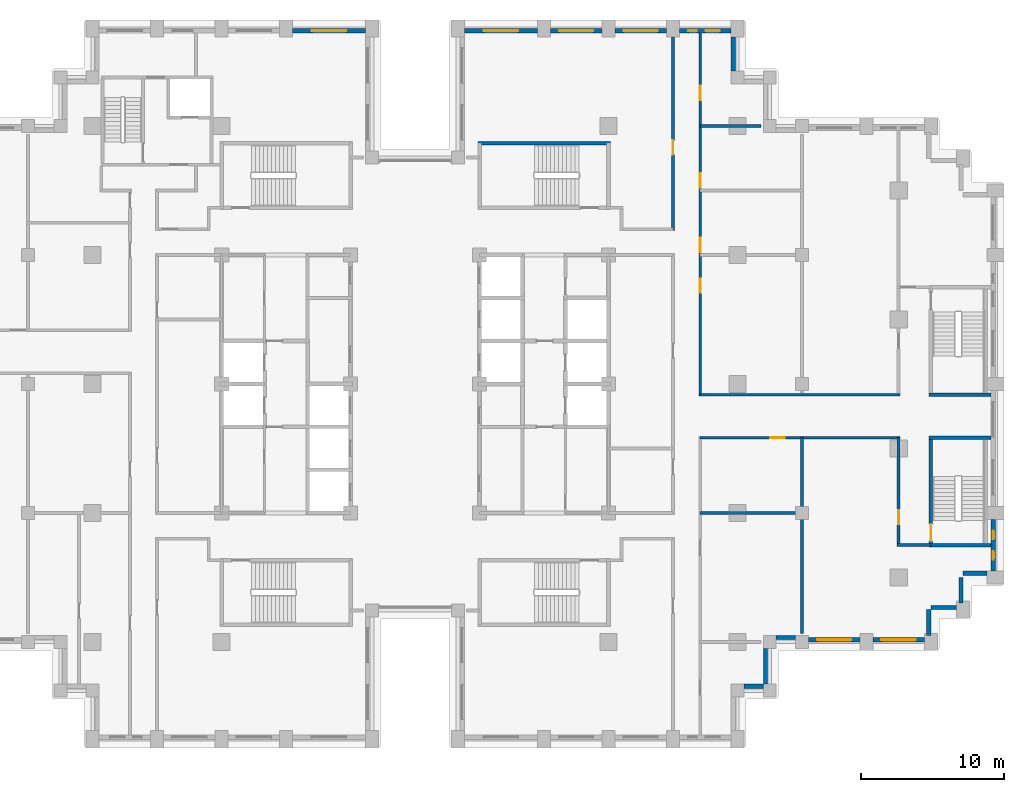
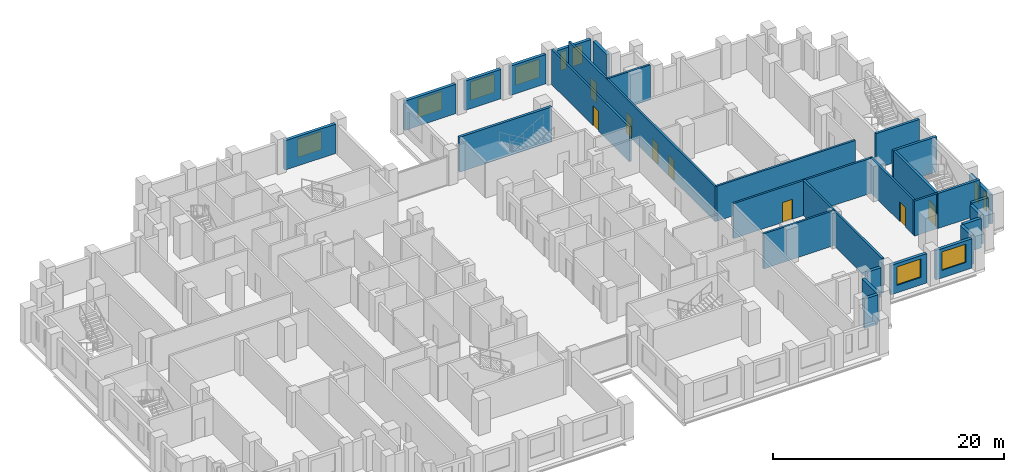
# One storey, part 11 of 15: 30 walls, 10 windows, 8 doors, 18 openings.
"""IFC4 building model written with IfcOpenShell, lengths in metres."""

from ifc_helpers import new_model, si_unit, direction, frame, frame_2d, origin, place, context, subcontext, project, spatial, rectangle, extrude, material, layer, layer_set, type_object, element, fill, save


model = new_model("IFC4")

# Units and contexts
model_context = context("Model", 3, precision=1e-05, world=origin(), true_north=direction((0.0, 1.0)))
body_context = subcontext(model_context, "Body", "Model", "MODEL_VIEW")
ifc_project = project(units=[si_unit("LENGTHUNIT", "METRE"), si_unit("AREAUNIT", "SQUARE_METRE"), si_unit("VOLUMEUNIT", "CUBIC_METRE"), si_unit("PLANEANGLEUNIT", "RADIAN"), si_unit("MASSUNIT", "GRAM", prefix="KILO")], contexts=[model_context])

# Site, building, storey
site_placement = place(None, origin())
site = spatial("IfcSite", under=ifc_project, at=site_placement, CompositionType="ELEMENT")
building_placement = place(site_placement, origin())
building = spatial("IfcBuilding", under=site, at=building_placement, Name="Corbelhall Arena Tower", CompositionType="ELEMENT")
storey_placement = place(building_placement, frame((0.0, 0.0, 100.0)))
storey = spatial("IfcBuildingStorey", under=building, at=storey_placement, Name="L17", CompositionType="ELEMENT", Elevation=100.0)

# Walls
ifc_material_1 = material(Name="Precast concrete C40/50 with granite facing", Category="masonry")
ifc_layer_1 = layer(ifc_material_1, 0.300048828125)
ifc_layer_set_1 = layer_set([ifc_layer_1], Name="EV-IW1 Infill panel 300")
wall_type_1 = type_object("IfcWallType", Name="EV-IW1 Infill panel 300", PredefinedType="SOLIDWALL", material=ifc_layer_set_1)
for number, where, z_axis, x_axis, name in (
    (1, (35.85009765625, -17.550048828125, 0.0), (0.0, 0.0, 1.0), (0.0, 1.0, 0.0), "Infill panel IW1"),
    (2, (37.800048828125, -15.60009765625, 0.0), (0.0, 0.0, 1.0), (-1.0, 0.0, 0.0), "Infill panel IW1"),
    (3, (38.10009765625, -15.300048828125, 0.0), (0.0, 0.0, 1.0), (0.0, 1.0, 0.0), "Infill panel IW1"),
):
    element("IfcWall", number, at=place(storey_placement, frame(where, z_axis=z_axis, x_axis=x_axis)), inside=storey, type_object=wall_type_1, Name=name, PredefinedType="SOLIDWALL", context=body_context, shape_type="SweptSolid", body=[
        extrude(rectangle(XDim=1.800048828125, YDim=0.300048828125, at=frame_2d((0.89990234375, 0.0))), origin(), (0.0, 0.0, 1.0), 3.10009765625),
    ])
wall_1_placement = place(storey_placement, frame((39.89990234375, -13.199951171875, 0.0), z_axis=(0.0, 0.0, 1.0), x_axis=(-1.0, 0.0, 0.0)))
element("IfcWall", 4, at=wall_1_placement, inside=storey, type_object=wall_type_1, Name="Infill panel IW1", PredefinedType="SOLIDWALL", context=body_context, shape_type="SweptSolid", body=[
    extrude(rectangle(XDim=1.64990234375, YDim=0.300048828125, at=frame_2d((0.824951171875, 0.0))), origin(), (0.0, 0.0, 1.0), 3.10009765625),
])
wall_2_placement = place(storey_placement, frame((22.949951171875, -21.10009765625, 0.0), z_axis=(0.0, 0.0, 1.0), x_axis=(1.0, 0.0, 0.0)))
element("IfcWall", 5, at=wall_2_placement, inside=storey, type_object=wall_type_1, Name="Infill panel IW1", PredefinedType="SOLIDWALL", context=body_context, shape_type="SweptSolid", body=[
    extrude(rectangle(XDim=1.35009765625, YDim=0.300048828125, at=frame_2d((0.675048828125, 0.0))), origin(), (0.0, 0.0, 1.0), 3.10009765625),
])
wall_3_placement = place(storey_placement, frame((24.449951171875, -20.949951171875, 0.0), z_axis=(0.0, 0.0, 1.0), x_axis=(0.0, 1.0, 0.0)))
element("IfcWall", 6, at=wall_3_placement, inside=storey, type_object=wall_type_1, Name="Infill panel IW1", PredefinedType="SOLIDWALL", context=body_context, shape_type="SweptSolid", body=[
    extrude(rectangle(XDim=2.5, YDim=0.300048828125, at=frame_2d((1.25, 0.0))), origin(), (0.0, 0.0, 1.0), 3.10009765625),
])
wall_4_placement = place(storey_placement, frame((25.199951171875, -17.699951171875, 0.0), z_axis=(0.0, 0.0, 1.0), x_axis=(1.0, 0.0, 0.0)))
element("IfcWall", 7, at=wall_4_placement, inside=storey, type_object=wall_type_1, Name="Infill panel IW1", PredefinedType="SOLIDWALL", context=body_context, shape_type="SweptSolid", body=[
    extrude(rectangle(XDim=1.35009765625, YDim=0.300048828125, at=frame_2d((0.675048828125, 0.0))), origin(), (0.0, 0.0, 1.0), 3.10009765625),
])

# Wall, opening, window
wall_5_placement = place(storey_placement, frame((27.449951171875, -17.85009765625, 0.0), z_axis=(0.0, 0.0, 1.0), x_axis=(1.0, 0.0, 0.0)))
wall_5 = element("IfcWall", 8, at=wall_5_placement, inside=storey, type_object=wall_type_1, Name="Infill panel IW1", PredefinedType="SOLIDWALL", context=body_context, shape_type="SweptSolid", body=[
    extrude(rectangle(XDim=3.60009765625, YDim=0.300048828125, at=frame_2d((1.800048828125, 0.0))), origin(), (0.0, 0.0, 1.0), 3.10009765625),
])
opening_1_placement = place(wall_5_placement, frame((0.60009765625, 0.0, 0.800048828125)))
opening_1 = element("IfcOpeningElement", 9, at=opening_1_placement, cuts=wall_5, Name="Opening WN1", PredefinedType="OPENING", context=body_context, shape_type="SweptSolid", body=[
    extrude(rectangle(XDim=2.39990234375, YDim=1.949951171875, at=frame_2d((1.199951171875, 0.97509765625))), frame((0.0, 0.14990234375, 0.0), z_axis=(0.0, -1.0, 0.0), x_axis=(1.0, 0.0, 0.0)), (0.0, 0.0, 1.0), 0.300048828125),
])
ifc_material_2 = material(Name="Aluminium black anodised", Category="aluminium")
window_type_1 = type_object("IfcWindowType", Name="EV-WN1 Office window", PartitioningType="SINGLE_PANEL", PredefinedType="WINDOW", material=ifc_material_2)
window_1_placement = place(opening_1_placement, origin())
window_1 = element("IfcWindow", 10, at=window_1_placement, inside=storey, type_object=window_type_1, Name="Window WN1", OverallHeight=1.949951171875, OverallWidth=2.39990234375, PartitioningType="SINGLE_PANEL", PredefinedType="WINDOW", context=body_context, shape_type="SweptSolid", body=[
    extrude(rectangle(XDim=2.39990234375, YDim=1.949951171875, at=frame_2d((1.199951171875, 0.97509765625))), frame((0.0, 0.030029296875, 0.0), z_axis=(0.0, -1.0, 0.0), x_axis=(1.0, 0.0, 0.0)), (0.0, 0.0, 1.0), 0.06005859375),
])
fill(opening_1, window_1)

wall_6_placement = place(storey_placement, frame((31.949951171875, -17.85009765625, 0.0), z_axis=(0.0, 0.0, 1.0), x_axis=(1.0, 0.0, 0.0)))
wall_6 = element("IfcWall", 11, at=wall_6_placement, inside=storey, type_object=wall_type_1, Name="Infill panel IW1", PredefinedType="SOLIDWALL", context=body_context, shape_type="SweptSolid", body=[
    extrude(rectangle(XDim=3.60009765625, YDim=0.300048828125, at=frame_2d((1.800048828125, 0.0))), origin(), (0.0, 0.0, 1.0), 3.10009765625),
])
opening_2_placement = place(wall_6_placement, frame((0.60009765625, 0.0, 0.800048828125)))
opening_2 = element("IfcOpeningElement", 12, at=opening_2_placement, cuts=wall_6, Name="Opening WN1", PredefinedType="OPENING", context=body_context, shape_type="SweptSolid", body=[
    extrude(rectangle(XDim=2.39990234375, YDim=1.949951171875, at=frame_2d((1.199951171875, 0.97509765625))), frame((0.0, 0.14990234375, 0.0), z_axis=(0.0, -1.0, 0.0), x_axis=(1.0, 0.0, 0.0)), (0.0, 0.0, 1.0), 0.300048828125),
])
window_2_placement = place(opening_2_placement, origin())
window_2 = element("IfcWindow", 13, at=window_2_placement, inside=storey, type_object=window_type_1, Name="Window WN1", OverallHeight=1.949951171875, OverallWidth=2.39990234375, PartitioningType="SINGLE_PANEL", PredefinedType="WINDOW", context=body_context, shape_type="SweptSolid", body=[
    extrude(rectangle(XDim=2.39990234375, YDim=1.949951171875, at=frame_2d((1.199951171875, 0.97509765625))), frame((0.0, 0.030029296875, 0.0), z_axis=(0.0, -1.0, 0.0), x_axis=(1.0, 0.0, 0.0)), (0.0, 0.0, 1.0), 0.06005859375),
])
fill(opening_2, window_2)

# Wall, openings, windows
wall_7_placement = place(storey_placement, frame((40.35009765625, -13.050048828125, 0.0), z_axis=(0.0, 0.0, 1.0), x_axis=(0.0, 1.0, 0.0)))
wall_7 = element("IfcWall", 14, at=wall_7_placement, inside=storey, type_object=wall_type_1, Name="Infill panel IW1", PredefinedType="SOLIDWALL", context=body_context, shape_type="SweptSolid", body=[
    extrude(rectangle(XDim=3.60009765625, YDim=0.300048828125, at=frame_2d((1.800048828125, 0.0))), origin(), (0.0, 0.0, 1.0), 3.10009765625),
])
opening_3_placement = place(wall_7_placement, frame((0.78759765625, 0.0, 0.800048828125)))
opening_3 = element("IfcOpeningElement", 15, at=opening_3_placement, cuts=wall_7, Name="Opening WN5", PredefinedType="OPENING", context=body_context, shape_type="SweptSolid", body=[
    extrude(rectangle(XDim=0.60009765625, YDim=1.949951171875, at=frame_2d((0.300048828125, 0.97509765625))), frame((0.0, 0.14990234375, 0.0), z_axis=(0.0, -1.0, 0.0), x_axis=(1.0, 0.0, 0.0)), (0.0, 0.0, 1.0), 0.300048828125),
])
opening_4_placement = place(wall_7_placement, frame((2.21240234375, 0.0, 0.800048828125)))
opening_4 = element("IfcOpeningElement", 16, at=opening_4_placement, cuts=wall_7, Name="Opening WN5", PredefinedType="OPENING", context=body_context, shape_type="SweptSolid", body=[
    extrude(rectangle(XDim=0.60009765625, YDim=1.949951171875, at=frame_2d((0.300048828125, 0.97509765625))), frame((0.0, 0.14990234375, 0.0), z_axis=(0.0, -1.0, 0.0), x_axis=(1.0, 0.0, 0.0)), (0.0, 0.0, 1.0), 0.300048828125),
])
window_type_2 = type_object("IfcWindowType", Name="EV-WN5 Office window 600", PartitioningType="SINGLE_PANEL", PredefinedType="WINDOW", material=ifc_material_2)
window_3_placement = place(opening_3_placement, origin())
window_3 = element("IfcWindow", 17, at=window_3_placement, inside=storey, type_object=window_type_2, Name="Window WN5", OverallHeight=1.949951171875, OverallWidth=0.60009765625, PartitioningType="SINGLE_PANEL", PredefinedType="WINDOW", context=body_context, shape_type="SweptSolid", body=[
    extrude(rectangle(XDim=0.60009765625, YDim=1.949951171875, at=frame_2d((0.300048828125, 0.97509765625))), frame((0.0, 0.030029296875, 0.0), z_axis=(0.0, -1.0, 0.0), x_axis=(1.0, 0.0, 0.0)), (0.0, 0.0, 1.0), 0.06005859375),
])
fill(opening_3, window_3)
window_4_placement = place(opening_4_placement, origin())
window_4 = element("IfcWindow", 18, at=window_4_placement, inside=storey, type_object=window_type_2, Name="Window WN5", OverallHeight=1.949951171875, OverallWidth=0.60009765625, PartitioningType="SINGLE_PANEL", PredefinedType="WINDOW", context=body_context, shape_type="SweptSolid", body=[
    extrude(rectangle(XDim=0.60009765625, YDim=1.949951171875, at=frame_2d((0.300048828125, 0.97509765625))), frame((0.0, 0.030029296875, 0.0), z_axis=(0.0, -1.0, 0.0), x_axis=(1.0, 0.0, 0.0)), (0.0, 0.0, 1.0), 0.06005859375),
])
fill(opening_4, window_4)

# Wall
wall_8_placement = place(storey_placement, frame((22.199951171875, 21.85009765625, 0.0), z_axis=(0.0, 0.0, 1.0), x_axis=(0.0, 1.0, 0.0)))
element("IfcWall", 19, at=wall_8_placement, inside=storey, type_object=wall_type_1, Name="Infill panel IW1", PredefinedType="SOLIDWALL", context=body_context, shape_type="SweptSolid", body=[
    extrude(rectangle(XDim=2.349853515625, YDim=0.300048828125, at=frame_2d((1.1748046875, 0.0))), origin(), (0.0, 0.0, 1.0), 3.10009765625),
])

# Wall, openings, windows
wall_9_placement = place(storey_placement, frame((22.050048828125, 24.64990234375, 0.0), z_axis=(0.0, 0.0, 1.0), x_axis=(-1.0, 0.0, 0.0)))
wall_9 = element("IfcWall", 20, at=wall_9_placement, inside=storey, type_object=wall_type_1, Name="Infill panel IW1", PredefinedType="SOLIDWALL", context=body_context, shape_type="SweptSolid", body=[
    extrude(rectangle(XDim=3.60009765625, YDim=0.300048828125, at=frame_2d((1.800048828125, 0.0))), origin(), (0.0, 0.0, 1.0), 3.10009765625),
])
opening_5_placement = place(wall_9_placement, frame((0.77490234375, 0.0, 0.800048828125)))
opening_5 = element("IfcOpeningElement", 21, at=opening_5_placement, cuts=wall_9, Name="Opening WN6", PredefinedType="OPENING", context=body_context, shape_type="SweptSolid", body=[
    extrude(rectangle(XDim=1.0, YDim=1.949951171875, at=frame_2d((0.5, 0.97509765625))), frame((0.0, 0.14990234375, 0.0), z_axis=(0.0, -1.0, 0.0), x_axis=(1.0, 0.0, 0.0)), (0.0, 0.0, 1.0), 0.300048828125),
])
opening_6_placement = place(wall_9_placement, frame((2.375, 0.0, 0.800048828125)))
opening_6 = element("IfcOpeningElement", 22, at=opening_6_placement, cuts=wall_9, Name="Opening WN5", PredefinedType="OPENING", context=body_context, shape_type="SweptSolid", body=[
    extrude(rectangle(XDim=0.60009765625, YDim=1.949951171875, at=frame_2d((0.300048828125, 0.97509765625))), frame((0.0, 0.14990234375, 0.0), z_axis=(0.0, -1.0, 0.0), x_axis=(1.0, 0.0, 0.0)), (0.0, 0.0, 1.0), 0.300048828125),
])
window_5_placement = place(opening_6_placement, origin())
window_5 = element("IfcWindow", 23, at=window_5_placement, inside=storey, type_object=window_type_2, Name="Window WN5", OverallHeight=1.949951171875, OverallWidth=0.60009765625, PartitioningType="SINGLE_PANEL", PredefinedType="WINDOW", context=body_context, shape_type="SweptSolid", body=[
    extrude(rectangle(XDim=0.60009765625, YDim=1.949951171875, at=frame_2d((0.300048828125, 0.97509765625))), frame((0.0, 0.030029296875, 0.0), z_axis=(0.0, -1.0, 0.0), x_axis=(1.0, 0.0, 0.0)), (0.0, 0.0, 1.0), 0.06005859375),
])
fill(opening_6, window_5)
window_type_3 = type_object("IfcWindowType", Name="EV-WN6 Office window 1000", PartitioningType="SINGLE_PANEL", PredefinedType="WINDOW", material=ifc_material_2)
window_6_placement = place(opening_5_placement, origin())
window_6 = element("IfcWindow", 24, at=window_6_placement, inside=storey, type_object=window_type_3, Name="Window WN6", OverallHeight=1.949951171875, OverallWidth=1.0, PartitioningType="SINGLE_PANEL", PredefinedType="WINDOW", context=body_context, shape_type="SweptSolid", body=[
    extrude(rectangle(XDim=1.0, YDim=1.949951171875, at=frame_2d((0.5, 0.97509765625))), frame((0.0, 0.030029296875, 0.0), z_axis=(0.0, -1.0, 0.0), x_axis=(1.0, 0.0, 0.0)), (0.0, 0.0, 1.0), 0.06005859375),
])
fill(opening_5, window_6)

# Wall, opening, window
wall_10_placement = place(storey_placement, frame((17.550048828125, 24.64990234375, 0.0), z_axis=(0.0, 0.0, 1.0), x_axis=(-1.0, 0.0, 0.0)))
wall_10 = element("IfcWall", 25, at=wall_10_placement, inside=storey, type_object=wall_type_1, Name="Infill panel IW1", PredefinedType="SOLIDWALL", context=body_context, shape_type="SweptSolid", body=[
    extrude(rectangle(XDim=3.60009765625, YDim=0.300048828125, at=frame_2d((1.800048828125, 0.0))), origin(), (0.0, 0.0, 1.0), 3.10009765625),
])
opening_7_placement = place(wall_10_placement, frame((0.60009765625, 0.0, 0.800048828125)))
opening_7 = element("IfcOpeningElement", 26, at=opening_7_placement, cuts=wall_10, Name="Opening WN1", PredefinedType="OPENING", context=body_context, shape_type="SweptSolid", body=[
    extrude(rectangle(XDim=2.39990234375, YDim=1.949951171875, at=frame_2d((1.199951171875, 0.97509765625))), frame((0.0, 0.14990234375, 0.0), z_axis=(0.0, -1.0, 0.0), x_axis=(1.0, 0.0, 0.0)), (0.0, 0.0, 1.0), 0.300048828125),
])
window_7_placement = place(opening_7_placement, origin())
window_7 = element("IfcWindow", 27, at=window_7_placement, inside=storey, type_object=window_type_1, Name="Window WN1", OverallHeight=1.949951171875, OverallWidth=2.39990234375, PartitioningType="SINGLE_PANEL", PredefinedType="WINDOW", context=body_context, shape_type="SweptSolid", body=[
    extrude(rectangle(XDim=2.39990234375, YDim=1.949951171875, at=frame_2d((1.199951171875, 0.97509765625))), frame((0.0, 0.030029296875, 0.0), z_axis=(0.0, -1.0, 0.0), x_axis=(1.0, 0.0, 0.0)), (0.0, 0.0, 1.0), 0.06005859375),
])
fill(opening_7, window_7)

wall_11_placement = place(storey_placement, frame((13.050048828125, 24.64990234375, 0.0), z_axis=(0.0, 0.0, 1.0), x_axis=(-1.0, 0.0, 0.0)))
wall_11 = element("IfcWall", 28, at=wall_11_placement, inside=storey, type_object=wall_type_1, Name="Infill panel IW1", PredefinedType="SOLIDWALL", context=body_context, shape_type="SweptSolid", body=[
    extrude(rectangle(XDim=3.60009765625, YDim=0.300048828125, at=frame_2d((1.800048828125, 0.0))), origin(), (0.0, 0.0, 1.0), 3.10009765625),
])
opening_8_placement = place(wall_11_placement, frame((0.60009765625, 0.0, 0.800048828125)))
opening_8 = element("IfcOpeningElement", 29, at=opening_8_placement, cuts=wall_11, Name="Opening WN1", PredefinedType="OPENING", context=body_context, shape_type="SweptSolid", body=[
    extrude(rectangle(XDim=2.39990234375, YDim=1.949951171875, at=frame_2d((1.199951171875, 0.97509765625))), frame((0.0, 0.14990234375, 0.0), z_axis=(0.0, -1.0, 0.0), x_axis=(1.0, 0.0, 0.0)), (0.0, 0.0, 1.0), 0.300048828125),
])
window_8_placement = place(opening_8_placement, origin())
window_8 = element("IfcWindow", 30, at=window_8_placement, inside=storey, type_object=window_type_1, Name="Window WN1", OverallHeight=1.949951171875, OverallWidth=2.39990234375, PartitioningType="SINGLE_PANEL", PredefinedType="WINDOW", context=body_context, shape_type="SweptSolid", body=[
    extrude(rectangle(XDim=2.39990234375, YDim=1.949951171875, at=frame_2d((1.199951171875, 0.97509765625))), frame((0.0, 0.030029296875, 0.0), z_axis=(0.0, -1.0, 0.0), x_axis=(1.0, 0.0, 0.0)), (0.0, 0.0, 1.0), 0.06005859375),
])
fill(opening_8, window_8)

wall_12_placement = place(storey_placement, frame((8.550048828125, 24.64990234375, 0.0), z_axis=(0.0, 0.0, 1.0), x_axis=(-1.0, 0.0, 0.0)))
wall_12 = element("IfcWall", 31, at=wall_12_placement, inside=storey, type_object=wall_type_1, Name="Infill panel IW1", PredefinedType="SOLIDWALL", context=body_context, shape_type="SweptSolid", body=[
    extrude(rectangle(XDim=5.10009765625, YDim=0.300048828125, at=frame_2d((2.550048828125, 0.0))), origin(), (0.0, 0.0, 1.0), 3.10009765625),
])
opening_9_placement = place(wall_12_placement, frame((1.35009765625, 0.0, 0.800048828125)))
opening_9 = element("IfcOpeningElement", 32, at=opening_9_placement, cuts=wall_12, Name="Opening WN1", PredefinedType="OPENING", context=body_context, shape_type="SweptSolid", body=[
    extrude(rectangle(XDim=2.39990234375, YDim=1.949951171875, at=frame_2d((1.199951171875, 0.97509765625))), frame((0.0, 0.14990234375, 0.0), z_axis=(0.0, -1.0, 0.0), x_axis=(1.0, 0.0, 0.0)), (0.0, 0.0, 1.0), 0.300048828125),
])
window_9_placement = place(opening_9_placement, origin())
window_9 = element("IfcWindow", 33, at=window_9_placement, inside=storey, type_object=window_type_1, Name="Window WN1", OverallHeight=1.949951171875, OverallWidth=2.39990234375, PartitioningType="SINGLE_PANEL", PredefinedType="WINDOW", context=body_context, shape_type="SweptSolid", body=[
    extrude(rectangle(XDim=2.39990234375, YDim=1.949951171875, at=frame_2d((1.199951171875, 0.97509765625))), frame((0.0, 0.030029296875, 0.0), z_axis=(0.0, -1.0, 0.0), x_axis=(1.0, 0.0, 0.0)), (0.0, 0.0, 1.0), 0.06005859375),
])
fill(opening_9, window_9)

wall_13_placement = place(storey_placement, frame((-3.449951171875, 24.64990234375, 0.0), z_axis=(0.0, 0.0, 1.0), x_axis=(-1.0, 0.0, 0.0)))
wall_13 = element("IfcWall", 34, at=wall_13_placement, inside=storey, type_object=wall_type_1, Name="Infill panel IW1", PredefinedType="SOLIDWALL", context=body_context, shape_type="SweptSolid", body=[
    extrude(rectangle(XDim=5.10009765625, YDim=0.300048828125, at=frame_2d((2.550048828125, 0.0))), origin(), (0.0, 0.0, 1.0), 3.10009765625),
])
opening_10_placement = place(wall_13_placement, frame((1.35009765625, 0.0, 0.800048828125)))
opening_10 = element("IfcOpeningElement", 35, at=opening_10_placement, cuts=wall_13, Name="Opening WN1", PredefinedType="OPENING", context=body_context, shape_type="SweptSolid", body=[
    extrude(rectangle(XDim=2.39990234375, YDim=1.949951171875, at=frame_2d((1.199951171875, 0.97509765625))), frame((0.0, 0.14990234375, 0.0), z_axis=(0.0, -1.0, 0.0), x_axis=(1.0, 0.0, 0.0)), (0.0, 0.0, 1.0), 0.300048828125),
])
window_10_placement = place(opening_10_placement, origin())
window_10 = element("IfcWindow", 36, at=window_10_placement, inside=storey, type_object=window_type_1, Name="Window WN1", OverallHeight=1.949951171875, OverallWidth=2.39990234375, PartitioningType="SINGLE_PANEL", PredefinedType="WINDOW", context=body_context, shape_type="SweptSolid", body=[
    extrude(rectangle(XDim=2.39990234375, YDim=1.949951171875, at=frame_2d((1.199951171875, 0.97509765625))), frame((0.0, 0.030029296875, 0.0), z_axis=(0.0, -1.0, 0.0), x_axis=(1.0, 0.0, 0.0)), (0.0, 0.0, 1.0), 0.06005859375),
])
fill(opening_10, window_10)

# Wall, opening, door
ifc_material_3 = material(Name="Gypsum board on steel stud, acoustic", Category="steel")
ifc_layer_2 = layer(ifc_material_3, 0.199951171875)
ifc_layer_set_2 = layer_set([ifc_layer_2], Name="IN-W-DM200")
wall_type_2 = type_object("IfcWallType", Name="IN-W-DM200", PredefinedType="PARTITIONING", material=ifc_layer_set_2)
wall_14_placement = place(storey_placement, frame((18.0, 10.699951171875, 0.0), z_axis=(0.0, 0.0, 1.0), x_axis=(0.0, 1.0, 0.0)))
wall_14 = element("IfcWall", 37, at=wall_14_placement, inside=storey, type_object=wall_type_2, Name="Partition 047", PredefinedType="PARTITIONING", context=body_context, shape_type="SweptSolid", body=[
    extrude(rectangle(XDim=13.5, YDim=0.199951171875, at=frame_2d((6.75, 0.0))), origin(), (0.0, 0.0, 1.0), 3.699951171875),
])
opening_11_placement = place(wall_14_placement, frame((5.300048828125, 0.0, 0.0)))
opening_11 = element("IfcOpeningElement", 38, at=opening_11_placement, cuts=wall_14, Name="Opening 03026", PredefinedType="OPENING", context=body_context, shape_type="SweptSolid", body=[
    extrude(rectangle(XDim=1.0, YDim=2.10009765625, at=frame_2d((0.5, 1.050048828125))), frame((0.0, 0.10009765625, 0.0), z_axis=(0.0, -1.0, 0.0), x_axis=(1.0, 0.0, 0.0)), (0.0, 0.0, 1.0), 0.199951171875),
])
ifc_material_4 = material(Name="Steel door set", Category="steel")
door_type_1 = type_object("IfcDoorType", Name="IN-D-SW100", OperationType="NOTDEFINED", PredefinedType="DOOR", material=ifc_material_4)
door_1_placement = place(opening_11_placement, origin())
door_1 = element("IfcDoor", 39, at=door_1_placement, inside=storey, type_object=door_type_1, Name="Door 026", OperationType="SINGLE_SWING_LEFT", OverallHeight=2.10009765625, OverallWidth=1.0, PredefinedType="DOOR", context=body_context, shape_type="SweptSolid", body=[
    extrude(rectangle(XDim=1.0, YDim=2.10009765625, at=frame_2d((0.5, 1.050048828125))), frame((0.0, 0.02490234375, 0.0), z_axis=(0.0, -1.0, 0.0), x_axis=(1.0, 0.0, 0.0)), (0.0, 0.0, 1.0), 0.050048828125),
])
fill(opening_11, door_1)

# Walls
wall_15_placement = place(storey_placement, frame((19.89990234375, -9.0, 0.0), z_axis=(0.0, 0.0, 1.0), x_axis=(1.0, 0.0, 0.0)))
element("IfcWall", 40, at=wall_15_placement, inside=storey, type_object=wall_type_2, Name="Partition 050", PredefinedType="PARTITIONING", context=body_context, shape_type="SweptSolid", body=[
    extrude(rectangle(XDim=7.2001953125, YDim=0.199951171875, at=frame_2d((3.60009765625, 0.0))), origin(), (0.0, 0.0, 1.0), 3.699951171875),
])
wall_16_placement = place(storey_placement, frame((19.89990234375, -0.75, 0.0), z_axis=(0.0, 0.0, 1.0), x_axis=(1.0, 0.0, 0.0)))
element("IfcWall", 41, at=wall_16_placement, inside=storey, type_object=wall_type_2, Name="Partition 051", PredefinedType="PARTITIONING", context=body_context, shape_type="SweptSolid", body=[
    extrude(rectangle(XDim=13.9501953125, YDim=0.199951171875, at=frame_2d((6.97509765625, 0.0))), origin(), (0.0, 0.0, 1.0), 3.699951171875),
])

# Wall, openings, doors
wall_17_placement = place(storey_placement, frame((19.89990234375, 24.5, 0.0), z_axis=(0.0, 0.0, 1.0), x_axis=(0.0, -1.0, 0.0)))
wall_17 = element("IfcWall", 42, at=wall_17_placement, inside=storey, type_object=wall_type_2, Name="Partition 053", PredefinedType="PARTITIONING", context=body_context, shape_type="SweptSolid", body=[
    extrude(rectangle(XDim=25.35009765625, YDim=0.199951171875, at=frame_2d((12.675048828125, 0.0))), origin(), (0.0, 0.0, 1.0), 3.699951171875),
])
opening_12_placement = place(wall_17_placement, frame((17.14990234375, 0.0, 0.0)))
opening_12 = element("IfcOpeningElement", 43, at=opening_12_placement, cuts=wall_17, Name="Opening 03034", PredefinedType="OPENING", context=body_context, shape_type="SweptSolid", body=[
    extrude(rectangle(XDim=1.0, YDim=2.10009765625, at=frame_2d((0.5, 1.050048828125))), frame((0.0, 0.10009765625, 0.0), z_axis=(0.0, -1.0, 0.0), x_axis=(1.0, 0.0, 0.0)), (0.0, 0.0, 1.0), 0.199951171875),
])
opening_13_placement = place(wall_17_placement, frame((14.300048828125, 0.0, 0.0)))
opening_13 = element("IfcOpeningElement", 44, at=opening_13_placement, cuts=wall_17, Name="Opening 03035", PredefinedType="OPENING", context=body_context, shape_type="SweptSolid", body=[
    extrude(rectangle(XDim=1.0, YDim=2.10009765625, at=frame_2d((0.5, 1.050048828125))), frame((0.0, 0.10009765625, 0.0), z_axis=(0.0, -1.0, 0.0), x_axis=(1.0, 0.0, 0.0)), (0.0, 0.0, 1.0), 0.199951171875),
])
opening_14_placement = place(wall_17_placement, frame((9.800048828125, 0.0, 0.0)))
opening_14 = element("IfcOpeningElement", 45, at=opening_14_placement, cuts=wall_17, Name="Opening 03036", PredefinedType="OPENING", context=body_context, shape_type="SweptSolid", body=[
    extrude(rectangle(XDim=1.0, YDim=2.10009765625, at=frame_2d((0.5, 1.050048828125))), frame((0.0, 0.10009765625, 0.0), z_axis=(0.0, -1.0, 0.0), x_axis=(1.0, 0.0, 0.0)), (0.0, 0.0, 1.0), 0.199951171875),
])
opening_15_placement = place(wall_17_placement, frame((3.699951171875, 0.0, 0.0)))
opening_15 = element("IfcOpeningElement", 46, at=opening_15_placement, cuts=wall_17, Name="Opening 03037", PredefinedType="OPENING", context=body_context, shape_type="SweptSolid", body=[
    extrude(rectangle(XDim=1.0, YDim=2.10009765625, at=frame_2d((0.5, 1.050048828125))), frame((0.0, 0.10009765625, 0.0), z_axis=(0.0, -1.0, 0.0), x_axis=(1.0, 0.0, 0.0)), (0.0, 0.0, 1.0), 0.199951171875),
])
door_2_placement = place(opening_12_placement, origin())
door_2 = element("IfcDoor", 47, at=door_2_placement, inside=storey, type_object=door_type_1, Name="Door 034", OperationType="SINGLE_SWING_LEFT", OverallHeight=2.10009765625, OverallWidth=1.0, PredefinedType="DOOR", context=body_context, shape_type="SweptSolid", body=[
    extrude(rectangle(XDim=1.0, YDim=2.10009765625, at=frame_2d((0.5, 1.050048828125))), frame((0.0, 0.02490234375, 0.0), z_axis=(0.0, -1.0, 0.0), x_axis=(1.0, 0.0, 0.0)), (0.0, 0.0, 1.0), 0.050048828125),
])
fill(opening_12, door_2)
door_3_placement = place(opening_13_placement, origin())
door_3 = element("IfcDoor", 48, at=door_3_placement, inside=storey, type_object=door_type_1, Name="Door 035", OperationType="SINGLE_SWING_RIGHT", OverallHeight=2.10009765625, OverallWidth=1.0, PredefinedType="DOOR", context=body_context, shape_type="SweptSolid", body=[
    extrude(rectangle(XDim=1.0, YDim=2.10009765625, at=frame_2d((0.5, 1.050048828125))), frame((0.0, 0.02490234375, 0.0), z_axis=(0.0, -1.0, 0.0), x_axis=(1.0, 0.0, 0.0)), (0.0, 0.0, 1.0), 0.050048828125),
])
fill(opening_13, door_3)
door_4_placement = place(opening_14_placement, origin())
door_4 = element("IfcDoor", 49, at=door_4_placement, inside=storey, type_object=door_type_1, Name="Door 036", OperationType="SINGLE_SWING_LEFT", OverallHeight=2.10009765625, OverallWidth=1.0, PredefinedType="DOOR", context=body_context, shape_type="SweptSolid", body=[
    extrude(rectangle(XDim=1.0, YDim=2.10009765625, at=frame_2d((0.5, 1.050048828125))), frame((0.0, 0.02490234375, 0.0), z_axis=(0.0, -1.0, 0.0), x_axis=(1.0, 0.0, 0.0)), (0.0, 0.0, 1.0), 0.050048828125),
])
fill(opening_14, door_4)
door_5_placement = place(opening_15_placement, origin())
door_5 = element("IfcDoor", 50, at=door_5_placement, inside=storey, type_object=door_type_1, Name="Door 037", OperationType="SINGLE_SWING_RIGHT", OverallHeight=2.10009765625, OverallWidth=1.0, PredefinedType="DOOR", context=body_context, shape_type="SweptSolid", body=[
    extrude(rectangle(XDim=1.0, YDim=2.10009765625, at=frame_2d((0.5, 1.050048828125))), frame((0.0, 0.02490234375, 0.0), z_axis=(0.0, -1.0, 0.0), x_axis=(1.0, 0.0, 0.0)), (0.0, 0.0, 1.0), 0.050048828125),
])
fill(opening_15, door_5)

# Walls
wall_18_placement = place(storey_placement, frame((19.89990234375, 18.0, 0.0), z_axis=(0.0, 0.0, 1.0), x_axis=(1.0, 0.0, 0.0)))
element("IfcWall", 51, at=wall_18_placement, inside=storey, type_object=wall_type_2, Name="Partition 055", PredefinedType="PARTITIONING", context=body_context, shape_type="SweptSolid", body=[
    extrude(rectangle(XDim=4.25, YDim=0.199951171875, at=frame_2d((2.125, 0.0))), origin(), (0.0, 0.0, 1.0), 3.699951171875),
])
wall_19_placement = place(storey_placement, frame((27.0, -3.75, 0.0), z_axis=(0.0, 0.0, 1.0), x_axis=(0.0, -1.0, 0.0)))
element("IfcWall", 52, at=wall_19_placement, inside=storey, type_object=wall_type_2, Name="Partition 056", PredefinedType="PARTITIONING", context=body_context, shape_type="SweptSolid", body=[
    extrude(rectangle(XDim=13.64990234375, YDim=0.199951171875, at=frame_2d((6.824951171875, 0.0))), origin(), (0.0, 0.0, 1.0), 3.699951171875),
])

# Wall, opening, door
wall_20_placement = place(storey_placement, frame((33.85009765625, -3.75, 0.0), z_axis=(0.0, 0.0, 1.0), x_axis=(-1.0, 0.0, 0.0)))
wall_20 = element("IfcWall", 53, at=wall_20_placement, inside=storey, type_object=wall_type_2, Name="Partition 058", PredefinedType="PARTITIONING", context=body_context, shape_type="SweptSolid", body=[
    extrude(rectangle(XDim=13.9501953125, YDim=0.199951171875, at=frame_2d((6.97509765625, 0.0))), origin(), (0.0, 0.0, 1.0), 3.699951171875),
])
opening_16_placement = place(wall_20_placement, frame((8.050048828125, 0.0, 0.0)))
opening_16 = element("IfcOpeningElement", 54, at=opening_16_placement, cuts=wall_20, Name="Opening 03040", PredefinedType="OPENING", context=body_context, shape_type="SweptSolid", body=[
    extrude(rectangle(XDim=1.0, YDim=2.10009765625, at=frame_2d((0.5, 1.050048828125))), frame((0.0, 0.10009765625, 0.0), z_axis=(0.0, -1.0, 0.0), x_axis=(1.0, 0.0, 0.0)), (0.0, 0.0, 1.0), 0.199951171875),
])
door_6_placement = place(opening_16_placement, origin())
door_6 = element("IfcDoor", 55, at=door_6_placement, inside=storey, type_object=door_type_1, Name="Door 040", OperationType="SINGLE_SWING_LEFT", OverallHeight=2.10009765625, OverallWidth=1.0, PredefinedType="DOOR", context=body_context, shape_type="SweptSolid", body=[
    extrude(rectangle(XDim=1.0, YDim=2.10009765625, at=frame_2d((0.5, 1.050048828125))), frame((0.0, 0.02490234375, 0.0), z_axis=(0.0, -1.0, 0.0), x_axis=(1.0, 0.0, 0.0)), (0.0, 0.0, 1.0), 0.050048828125),
])
fill(opening_16, door_6)

wall_21_placement = place(storey_placement, frame((33.75, -11.25, 0.0), z_axis=(0.0, 0.0, 1.0), x_axis=(0.0, 1.0, 0.0)))
wall_21 = element("IfcWall", 56, at=wall_21_placement, inside=storey, type_object=wall_type_2, Name="Partition 060", PredefinedType="PARTITIONING", context=body_context, shape_type="SweptSolid", body=[
    extrude(rectangle(XDim=7.5, YDim=0.199951171875, at=frame_2d((3.75, 0.0))), origin(), (0.0, 0.0, 1.0), 3.699951171875),
])
opening_17_placement = place(wall_21_placement, frame((1.449951171875, 0.0, 0.0)))
opening_17 = element("IfcOpeningElement", 57, at=opening_17_placement, cuts=wall_21, Name="Opening 03047", PredefinedType="OPENING", context=body_context, shape_type="SweptSolid", body=[
    extrude(rectangle(XDim=1.0, YDim=2.10009765625, at=frame_2d((0.5, 1.050048828125))), frame((0.0, 0.10009765625, 0.0), z_axis=(0.0, -1.0, 0.0), x_axis=(1.0, 0.0, 0.0)), (0.0, 0.0, 1.0), 0.199951171875),
])
door_7_placement = place(opening_17_placement, origin())
door_7 = element("IfcDoor", 58, at=door_7_placement, inside=storey, type_object=door_type_1, Name="Door 047", OperationType="SINGLE_SWING_RIGHT", OverallHeight=2.10009765625, OverallWidth=1.0, PredefinedType="DOOR", context=body_context, shape_type="SweptSolid", body=[
    extrude(rectangle(XDim=1.0, YDim=2.10009765625, at=frame_2d((0.5, 1.050048828125))), frame((0.0, 0.02490234375, 0.0), z_axis=(0.0, -1.0, 0.0), x_axis=(1.0, 0.0, 0.0)), (0.0, 0.0, 1.0), 0.050048828125),
])
fill(opening_17, door_7)

# Walls
wall_22_placement = place(storey_placement, frame((36.0, -11.25, 0.0), z_axis=(0.0, 0.0, 1.0), x_axis=(-1.0, 0.0, 0.0)))
element("IfcWall", 59, at=wall_22_placement, inside=storey, type_object=wall_type_2, Name="Partition 062", PredefinedType="PARTITIONING", context=body_context, shape_type="SweptSolid", body=[
    extrude(rectangle(XDim=2.35009765625, YDim=0.199951171875, at=frame_2d((1.175048828125, 0.0))), origin(), (0.0, 0.0, 1.0), 3.699951171875),
])
ifc_material_5 = material(Name="Concrete C40/50", Category="concrete")
ifc_layer_3 = layer(ifc_material_5, 0.25)
ifc_layer_set_3 = layer_set([ifc_layer_3], Name="IN-W-ST250")
wall_type_3 = type_object("IfcWallType", Name="IN-W-ST250", PredefinedType="SOLIDWALL", material=ifc_layer_set_3)
wall_23_placement = place(storey_placement, frame((4.375, 16.800048828125, 0.0), z_axis=(0.0, 0.0, 1.0), x_axis=(1.0, 0.0, 0.0)))
element("IfcWall", 60, at=wall_23_placement, inside=storey, type_object=wall_type_3, Name="Shaft wall 110", PredefinedType="SOLIDWALL", context=body_context, shape_type="SweptSolid", body=[
    extrude(rectangle(XDim=9.25, YDim=0.25, at=frame_2d((4.625, 0.0))), origin(), (0.0, 0.0, 1.0), 3.699951171875),
])
wall_24_placement = place(storey_placement, frame((35.875, -0.75, 0.0), z_axis=(0.0, 0.0, 1.0), x_axis=(1.0, 0.0, 0.0)))
element("IfcWall", 61, at=wall_24_placement, inside=storey, type_object=wall_type_3, Name="Shaft wall 117", PredefinedType="SOLIDWALL", context=body_context, shape_type="SweptSolid", body=[
    extrude(rectangle(XDim=4.324951171875, YDim=0.25, at=frame_2d((2.16259765625, 0.0))), origin(), (0.0, 0.0, 1.0), 3.699951171875),
])

# Wall, opening, door
wall_25_placement = place(storey_placement, frame((36.0, -11.375, 0.0), z_axis=(0.0, 0.0, 1.0), x_axis=(0.0, 1.0, 0.0)))
wall_25 = element("IfcWall", 62, at=wall_25_placement, inside=storey, type_object=wall_type_3, Name="Shaft wall 118", PredefinedType="SOLIDWALL", context=body_context, shape_type="SweptSolid", body=[
    extrude(rectangle(XDim=7.625, YDim=0.25, at=frame_2d((3.8125, 0.0))), origin(), (0.0, 0.0, 1.0), 3.699951171875),
])
opening_18_placement = place(wall_25_placement, frame((0.39990234375, 0.0, 0.0)))
opening_18 = element("IfcOpeningElement", 63, at=opening_18_placement, cuts=wall_25, Name="Opening 03019", PredefinedType="OPENING", context=body_context, shape_type="SweptSolid", body=[
    extrude(rectangle(XDim=1.199951171875, YDim=2.10009765625, at=frame_2d((0.60009765625, 1.050048828125))), frame((0.0, 0.125, 0.0), z_axis=(0.0, -1.0, 0.0), x_axis=(1.0, 0.0, 0.0)), (0.0, 0.0, 1.0), 0.25),
])
door_type_2 = type_object("IfcDoorType", Name="IN-D-ST120", OperationType="NOTDEFINED", PredefinedType="DOOR", material=ifc_material_4)
door_8_placement = place(opening_18_placement, origin())
door_8 = element("IfcDoor", 64, at=door_8_placement, inside=storey, type_object=door_type_2, Name="Door 019", OperationType="SINGLE_SWING_RIGHT", OverallHeight=2.10009765625, OverallWidth=1.199951171875, PredefinedType="DOOR", context=body_context, shape_type="SweptSolid", body=[
    extrude(rectangle(XDim=1.199951171875, YDim=2.10009765625, at=frame_2d((0.60009765625, 1.050048828125))), frame((0.0, 0.02490234375, 0.0), z_axis=(0.0, -1.0, 0.0), x_axis=(1.0, 0.0, 0.0)), (0.0, 0.0, 1.0), 0.050048828125),
])
fill(opening_18, door_8)

# Walls
wall_26_placement = place(storey_placement, frame((40.199951171875, -11.25, 0.0), z_axis=(0.0, 0.0, 1.0), x_axis=(-1.0, 0.0, 0.0)))
element("IfcWall", 65, at=wall_26_placement, inside=storey, type_object=wall_type_3, Name="Shaft wall 121", PredefinedType="SOLIDWALL", context=body_context, shape_type="SweptSolid", body=[
    extrude(rectangle(XDim=4.199951171875, YDim=0.25, at=frame_2d((2.10009765625, 0.0))), origin(), (0.0, 0.0, 1.0), 3.699951171875),
])
wall_27_placement = place(storey_placement, frame((40.199951171875, -3.75, 0.0), z_axis=(0.0, 0.0, 1.0), x_axis=(-1.0, 0.0, 0.0)))
element("IfcWall", 66, at=wall_27_placement, inside=storey, type_object=wall_type_3, Name="Shaft wall 122", PredefinedType="SOLIDWALL", context=body_context, shape_type="SweptSolid", body=[
    extrude(rectangle(XDim=4.324951171875, YDim=0.25, at=frame_2d((2.16259765625, 0.0))), origin(), (0.0, 0.0, 1.0), 3.699951171875),
])

save(model, "model.ifc")
